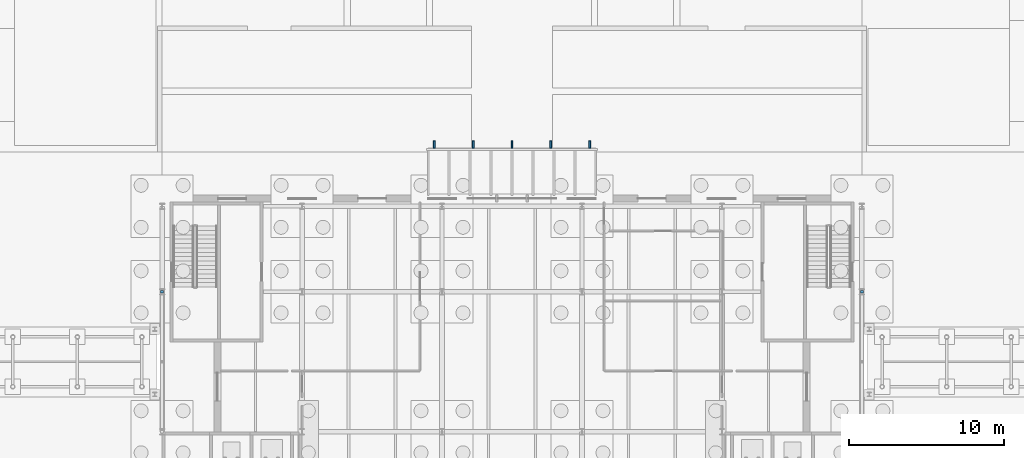
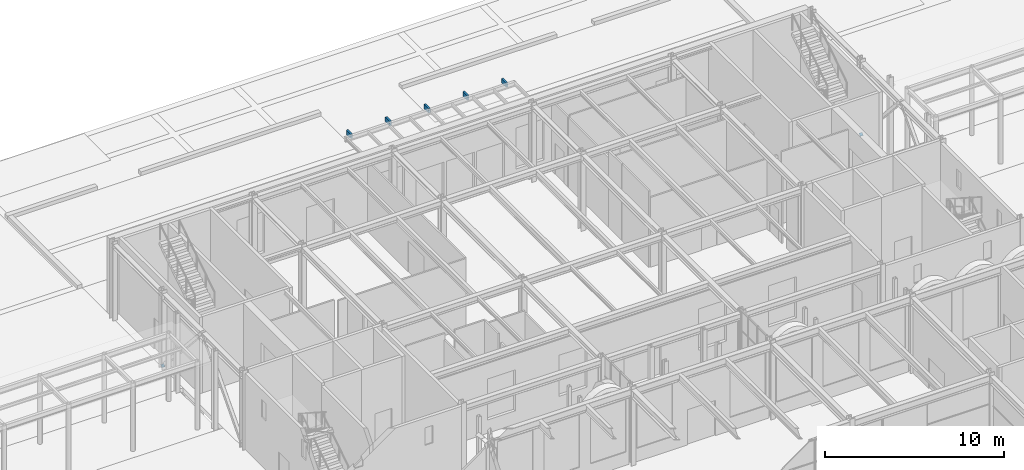
# One storey, part 96 of 126: 7 discrete accessories.
"""IFC4 building model written with IfcOpenShell, lengths in metres."""

from ifc_helpers import new_model, si_unit, direction, frame, origin, origin_2d, place, context, subcontext, project, spatial, rectangle, extrude, material, material_profile, profile_set, type_object, element, save


model = new_model("IFC4")

# Units and contexts
model_context = context("Model", 3, precision=1e-05, world=origin(), true_north=direction((0.0, 1.0)))
body_context = subcontext(model_context, "Body", "Model", "MODEL_VIEW")
ifc_project = project(units=[si_unit("LENGTHUNIT", "METRE"), si_unit("AREAUNIT", "SQUARE_METRE"), si_unit("VOLUMEUNIT", "CUBIC_METRE"), si_unit("PLANEANGLEUNIT", "RADIAN"), si_unit("MASSUNIT", "GRAM", prefix="KILO")], contexts=[model_context])

# Site, building, storey
site_placement = place(None, origin())
site = spatial("IfcSite", under=ifc_project, at=site_placement, CompositionType="ELEMENT")
building_placement = place(site_placement, origin())
building = spatial("IfcBuilding", under=site, at=building_placement, Name="Kallimachos Central Library", CompositionType="ELEMENT")
storey_placement = place(building_placement, origin())
storey = spatial("IfcBuildingStorey", under=building, at=storey_placement, Name="L00", CompositionType="ELEMENT", Elevation=0.0)

# Discrete accessories
ifc_material_1 = material(Name="Steel S355J2", Category="steel")
ifc_material_profile = material_profile(ifc_material_1, rectangle(XDim=0.199951171875, YDim=0.199951171875, at=origin_2d()), Name="End cap plate 10, 200x200")
ifc_profile_set = profile_set([ifc_material_profile], Name="Steel S355J2")
discrete_accessory_type_1 = type_object("IfcDiscreteAccessoryType", Name="End cap plate 10, 200x200", PredefinedType="BRACKET", material=ifc_profile_set)
for number, where, z_axis, x_axis, name in (
    (1, (65.5, 105.006591796875, 0.142578125), (0.0, -0.668964731622, 0.743294146247), (1.0, 0.0, 0.0), "End cap plate"),
    (2, (110.5, 105.006591796875, 0.142578125), (0.0, -0.668964731622, 0.743294146247), (1.0, 0.0, 0.0), "End cap plate"),
):
    element("IfcDiscreteAccessory", number, at=place(storey_placement, frame(where, z_axis=z_axis, x_axis=x_axis)), inside=storey, type_object=discrete_accessory_type_1, Name=name, PredefinedType="BRACKET", context=body_context, shape_type="SweptSolid", body=[
        extrude(rectangle(XDim=0.199951171875, YDim=0.199951171875, at=origin_2d()), origin(), (0.0, 0.0, 1.0), 0.009765625),
    ])
ifc_material_2 = material(Name="Steel S355J2", Category="steel")
discrete_accessory_type_2 = type_object("IfcDiscreteAccessoryType", Name="Hanger bracket", PredefinedType="BRACKET", material=ifc_material_2)
for number, where, z_axis, x_axis, name in (
    (3, (83.0, 114.47509765625, 3.89990234375), (0.0, 0.0, 1.0), (1.0, 0.0, 0.0), "Entrance canopy bracket"),
    (4, (85.5, 114.47509765625, 3.89990234375), (0.0, 0.0, 1.0), (1.0, 0.0, 0.0), "Entrance canopy bracket"),
    (5, (88.0, 114.47509765625, 3.89990234375), (0.0, 0.0, 1.0), (1.0, 0.0, 0.0), "Entrance canopy bracket"),
    (6, (90.5, 114.47509765625, 3.89990234375), (0.0, 0.0, 1.0), (1.0, 0.0, 0.0), "Entrance canopy bracket"),
    (7, (93.0, 114.47509765625, 3.89990234375), (0.0, 0.0, 1.0), (1.0, 0.0, 0.0), "Entrance canopy bracket"),
):
    element("IfcDiscreteAccessory", number, at=place(storey_placement, frame(where, z_axis=z_axis, x_axis=x_axis)), inside=storey, type_object=discrete_accessory_type_2, Name=name, PredefinedType="BRACKET", context=body_context, shape_type="SweptSolid", body=[
        extrude(rectangle(XDim=0.1201171875, YDim=0.5, at=origin_2d()), origin(), (0.0, 0.0, 1.0), 0.300048828125),
    ])

save(model, "model.ifc")
